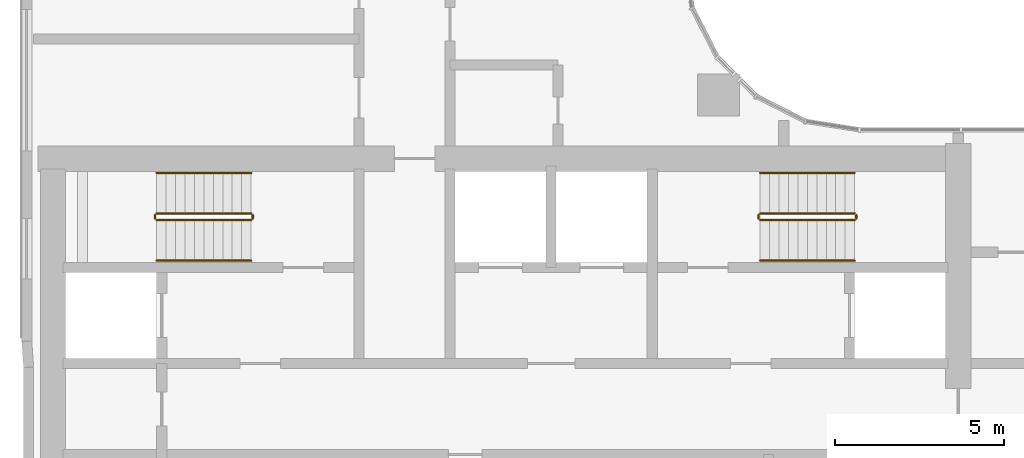
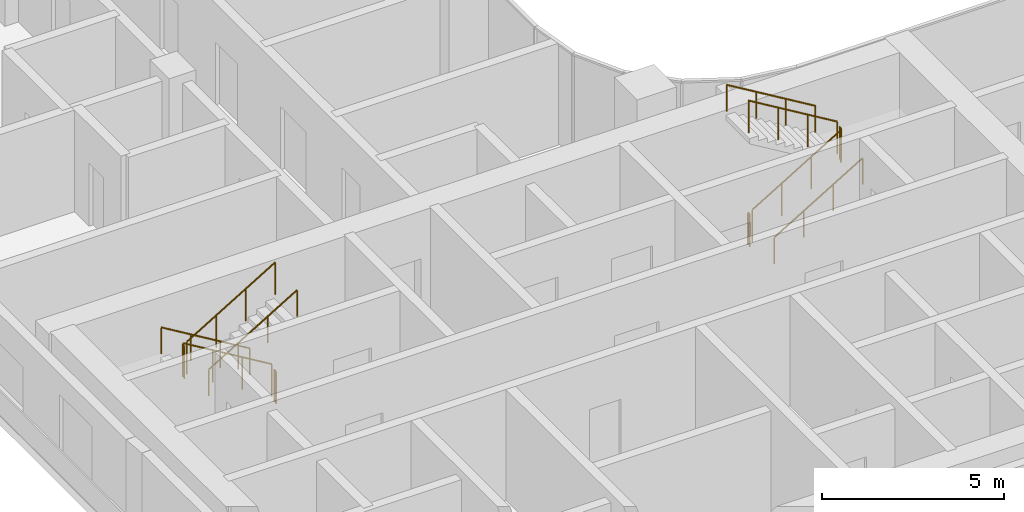
# One storey, part 30 of 35: 12 railings.
"""IFC4 building model written with IfcOpenShell, lengths in metres."""

from ifc_helpers import new_model, si_unit, direction, frame, origin, origin_2d, place, context, subcontext, project, spatial, circle, extrude, material, type_object, element, save


model = new_model("IFC4")

# Units and contexts
model_context = context("Model", 3, precision=1e-05, world=origin(), true_north=direction((0.0, 1.0)))
body_context = subcontext(model_context, "Body", "Model", "MODEL_VIEW")
ifc_project = project(units=[si_unit("LENGTHUNIT", "METRE"), si_unit("AREAUNIT", "SQUARE_METRE"), si_unit("VOLUMEUNIT", "CUBIC_METRE"), si_unit("PLANEANGLEUNIT", "RADIAN"), si_unit("MASSUNIT", "GRAM", prefix="KILO")], contexts=[model_context])

# Site, building, storey
site_placement = place(None, origin())
site = spatial("IfcSite", under=ifc_project, at=site_placement, CompositionType="ELEMENT")
building_placement = place(site_placement, origin())
building = spatial("IfcBuilding", under=site, at=building_placement, Name="Ogive Portal Towers", CompositionType="ELEMENT")
storey_placement = place(building_placement, frame((0.0, 0.0, 90.800048828125)))
storey = spatial("IfcBuildingStorey", under=building, at=storey_placement, Name="L21", CompositionType="ELEMENT", Elevation=90.800048828125)

# Railings
ifc_material_1 = material(Name="Stainless steel balustrade", Category="steel")
railing_type_1 = type_object("IfcRailingType", Name="INT-GUARD", PredefinedType="GUARDRAIL", material=ifc_material_1)
railing_1_placement = place(storey_placement, frame((37.449951171875, 37.800048828125, 0.168212890625)))
element("IfcRailing", 1, at=railing_1_placement, inside=storey, type_object=railing_type_1, Name="L21 ST-A1 stair guard 1", PredefinedType="GUARDRAIL", context=body_context, shape_type="SweptSolid", body=[
    extrude(circle(Radius=0.02392578125, at=origin_2d()), frame((0.0, 0.0, 1.076171875), z_axis=(-0.857275202839, 0.0, 0.514858452973), x_axis=(0.0, -1.0, 0.0)), (0.0, 0.0, 1.0), 3.26611328125),
    extrude(circle(Radius=0.02099609375, at=origin_2d()), origin(), (0.0, 0.0, 1.0), 1.052001953125),
    extrude(circle(Radius=0.02099609375, at=origin_2d()), frame((-0.933349609375, 0.0, 0.560546875)), (0.0, 0.0, 1.0), 1.052001953125),
    extrude(circle(Radius=0.02099609375, at=origin_2d()), frame((-1.86669921875, 0.0, 1.12109375)), (0.0, 0.0, 1.0), 1.052001953125),
    extrude(circle(Radius=0.02099609375, at=origin_2d()), frame((-2.800048828125, 0.0, 1.681640625)), (0.0, 0.0, 1.0), 1.052001953125),
])
railing_2_placement = place(storey_placement, frame((34.60009765625, 37.75, 1.849853515625)))
element("IfcRailing", 2, at=railing_2_placement, inside=storey, type_object=railing_type_1, Name="L21 ST-A1 stair guard 2", PredefinedType="GUARDRAIL", context=body_context, shape_type="SweptSolid", body=[
    extrude(circle(Radius=0.02392578125, at=origin_2d()), frame((0.0, 0.0, 1.076171875), z_axis=(0.0, -1.0, 0.0), x_axis=(1.0, 0.0, 0.0)), (0.0, 0.0, 1.0), 0.10009765625),
    extrude(circle(Radius=0.02099609375, at=origin_2d()), origin(), (0.0, 0.0, 1.0), 1.052001953125),
    extrude(circle(Radius=0.02099609375, at=origin_2d()), frame((0.0, -0.10009765625, 0.0)), (0.0, 0.0, 1.0), 1.052001953125),
])
railing_3_placement = place(storey_placement, frame((34.64990234375, 37.60009765625, 2.01806640625)))
element("IfcRailing", 3, at=railing_3_placement, inside=storey, type_object=railing_type_1, Name="L21 ST-A1 stair guard 3", PredefinedType="GUARDRAIL", context=body_context, shape_type="SweptSolid", body=[
    extrude(circle(Radius=0.02392578125, at=origin_2d()), frame((0.0, 0.0, 1.076171875), z_axis=(0.857242210791, 0.0, 0.514913383045), x_axis=(0.0, 1.0, 0.0)), (0.0, 0.0, 1.0), 3.266357421875),
    extrude(circle(Radius=0.02099609375, at=origin_2d()), origin(), (0.0, 0.0, 1.0), 1.052001953125),
    extrude(circle(Radius=0.02099609375, at=origin_2d()), frame((0.933349609375, 0.0, 0.560546875)), (0.0, 0.0, 1.0), 1.052001953125),
    extrude(circle(Radius=0.02099609375, at=origin_2d()), frame((1.86669921875, 0.0, 1.121337890625)), (0.0, 0.0, 1.0), 1.052001953125),
    extrude(circle(Radius=0.02099609375, at=origin_2d()), frame((2.800048828125, 0.0, 1.681884765625)), (0.0, 0.0, 1.0), 1.052001953125),
])
railing_4_placement = place(storey_placement, frame((37.5, 37.75, 0.0)))
element("IfcRailing", 4, at=railing_4_placement, inside=storey, type_object=railing_type_1, Name="L21 ST-A1 stair guard 4", PredefinedType="GUARDRAIL", context=body_context, shape_type="SweptSolid", body=[
    extrude(circle(Radius=0.02392578125, at=origin_2d()), frame((0.0, 0.0, 1.076171875), z_axis=(0.0, -1.0, 0.0), x_axis=(1.0, 0.0, 0.0)), (0.0, 0.0, 1.0), 0.10009765625),
    extrude(circle(Radius=0.02099609375, at=origin_2d()), origin(), (0.0, 0.0, 1.0), 1.052001953125),
    extrude(circle(Radius=0.02099609375, at=origin_2d()), frame((0.0, -0.10009765625, 0.0)), (0.0, 0.0, 1.0), 1.052001953125),
])
railing_5_placement = place(storey_placement, frame((52.550048828125, 37.60009765625, 0.168212890625)))
element("IfcRailing", 5, at=railing_5_placement, inside=storey, type_object=railing_type_1, Name="L21 ST-A2 stair guard 1", PredefinedType="GUARDRAIL", context=body_context, shape_type="SweptSolid", body=[
    extrude(circle(Radius=0.02392578125, at=origin_2d()), frame((0.0, 0.0, 1.076171875), z_axis=(0.857275202839, 0.0, 0.514858452973), x_axis=(0.0, 1.0, 0.0)), (0.0, 0.0, 1.0), 3.26611328125),
    extrude(circle(Radius=0.02099609375, at=origin_2d()), origin(), (0.0, 0.0, 1.0), 1.052001953125),
    extrude(circle(Radius=0.02099609375, at=origin_2d()), frame((0.933349609375, 0.0, 0.560546875)), (0.0, 0.0, 1.0), 1.052001953125),
    extrude(circle(Radius=0.02099609375, at=origin_2d()), frame((1.86669921875, 0.0, 1.12109375)), (0.0, 0.0, 1.0), 1.052001953125),
    extrude(circle(Radius=0.02099609375, at=origin_2d()), frame((2.800048828125, 0.0, 1.681640625)), (0.0, 0.0, 1.0), 1.052001953125),
])
railing_6_placement = place(storey_placement, frame((55.39990234375, 37.64990234375, 1.849853515625)))
element("IfcRailing", 6, at=railing_6_placement, inside=storey, type_object=railing_type_1, Name="L21 ST-A2 stair guard 2", PredefinedType="GUARDRAIL", context=body_context, shape_type="SweptSolid", body=[
    extrude(circle(Radius=0.02392578125, at=origin_2d()), frame((0.0, 0.0, 1.076171875), z_axis=(0.0, 1.0, 0.0), x_axis=(-1.0, 0.0, 0.0)), (0.0, 0.0, 1.0), 0.10009765625),
    extrude(circle(Radius=0.02099609375, at=origin_2d()), origin(), (0.0, 0.0, 1.0), 1.052001953125),
    extrude(circle(Radius=0.02099609375, at=origin_2d()), frame((0.0, 0.10009765625, 0.0)), (0.0, 0.0, 1.0), 1.052001953125),
])
railing_7_placement = place(storey_placement, frame((55.35009765625, 37.800048828125, 2.01806640625)))
element("IfcRailing", 7, at=railing_7_placement, inside=storey, type_object=railing_type_1, Name="L21 ST-A2 stair guard 3", PredefinedType="GUARDRAIL", context=body_context, shape_type="SweptSolid", body=[
    extrude(circle(Radius=0.02392578125, at=origin_2d()), frame((0.0, 0.0, 1.076171875), z_axis=(-0.857242210791, 0.0, 0.514913383045), x_axis=(0.0, -1.0, 0.0)), (0.0, 0.0, 1.0), 3.266357421875),
    extrude(circle(Radius=0.02099609375, at=origin_2d()), origin(), (0.0, 0.0, 1.0), 1.052001953125),
    extrude(circle(Radius=0.02099609375, at=origin_2d()), frame((-0.933349609375, 0.0, 0.560546875)), (0.0, 0.0, 1.0), 1.052001953125),
    extrude(circle(Radius=0.02099609375, at=origin_2d()), frame((-1.86669921875, 0.0, 1.121337890625)), (0.0, 0.0, 1.0), 1.052001953125),
    extrude(circle(Radius=0.02099609375, at=origin_2d()), frame((-2.800048828125, 0.0, 1.681884765625)), (0.0, 0.0, 1.0), 1.052001953125),
])
railing_8_placement = place(storey_placement, frame((52.5, 37.64990234375, 0.0)))
element("IfcRailing", 8, at=railing_8_placement, inside=storey, type_object=railing_type_1, Name="L21 ST-A2 stair guard 4", PredefinedType="GUARDRAIL", context=body_context, shape_type="SweptSolid", body=[
    extrude(circle(Radius=0.02392578125, at=origin_2d()), frame((0.0, 0.0, 1.076171875), z_axis=(0.0, 1.0, 0.0), x_axis=(-1.0, 0.0, 0.0)), (0.0, 0.0, 1.0), 0.10009765625),
    extrude(circle(Radius=0.02099609375, at=origin_2d()), origin(), (0.0, 0.0, 1.0), 1.052001953125),
    extrude(circle(Radius=0.02099609375, at=origin_2d()), frame((0.0, 0.10009765625, 0.0)), (0.0, 0.0, 1.0), 1.052001953125),
])
ifc_material_2 = material(Name="Stainless steel handrail", Category="steel")
railing_type_2 = type_object("IfcRailingType", Name="INT-HANDRAIL", PredefinedType="HANDRAIL", material=ifc_material_2)
railing_9_placement = place(storey_placement, frame((37.449951171875, 39.0, 0.168212890625)))
element("IfcRailing", 9, at=railing_9_placement, inside=storey, type_object=railing_type_2, Name="L21 ST-A1 stair handrail 1", PredefinedType="HANDRAIL", context=body_context, shape_type="SweptSolid", body=[
    extrude(circle(Radius=0.02392578125, at=origin_2d()), frame((0.0, 0.0, 0.8759765625), z_axis=(-0.857275202839, 0.0, 0.514858452973), x_axis=(0.0, -1.0, 0.0)), (0.0, 0.0, 1.0), 3.26611328125),
    extrude(circle(Radius=0.02099609375, at=origin_2d()), origin(), (0.0, 0.0, 1.0), 0.851806640625),
    extrude(circle(Radius=0.02099609375, at=origin_2d()), frame((-0.933349609375, 0.0, 0.560546875)), (0.0, 0.0, 1.0), 0.851806640625),
    extrude(circle(Radius=0.02099609375, at=origin_2d()), frame((-1.86669921875, 0.0, 1.12109375)), (0.0, 0.0, 1.0), 0.851806640625),
    extrude(circle(Radius=0.02099609375, at=origin_2d()), frame((-2.800048828125, 0.0, 1.681640625)), (0.0, 0.0, 1.0), 0.851806640625),
])
railing_10_placement = place(storey_placement, frame((34.64990234375, 36.39990234375, 2.01806640625)))
element("IfcRailing", 10, at=railing_10_placement, inside=storey, type_object=railing_type_2, Name="L21 ST-A1 stair handrail 2", PredefinedType="HANDRAIL", context=body_context, shape_type="SweptSolid", body=[
    extrude(circle(Radius=0.02392578125, at=origin_2d()), frame((0.0, 0.0, 0.8759765625), z_axis=(0.857242210791, 0.0, 0.514913383045), x_axis=(0.0, 1.0, 0.0)), (0.0, 0.0, 1.0), 3.266357421875),
    extrude(circle(Radius=0.02099609375, at=origin_2d()), origin(), (0.0, 0.0, 1.0), 0.851806640625),
    extrude(circle(Radius=0.02099609375, at=origin_2d()), frame((0.933349609375, 0.0, 0.560546875)), (0.0, 0.0, 1.0), 0.851806640625),
    extrude(circle(Radius=0.02099609375, at=origin_2d()), frame((1.86669921875, 0.0, 1.121337890625)), (0.0, 0.0, 1.0), 0.851806640625),
    extrude(circle(Radius=0.02099609375, at=origin_2d()), frame((2.800048828125, 0.0, 1.681884765625)), (0.0, 0.0, 1.0), 0.851806640625),
])
railing_11_placement = place(storey_placement, frame((52.550048828125, 36.39990234375, 0.168212890625)))
element("IfcRailing", 11, at=railing_11_placement, inside=storey, type_object=railing_type_2, Name="L21 ST-A2 stair handrail 1", PredefinedType="HANDRAIL", context=body_context, shape_type="SweptSolid", body=[
    extrude(circle(Radius=0.02392578125, at=origin_2d()), frame((0.0, 0.0, 0.8759765625), z_axis=(0.857275202839, 0.0, 0.514858452973), x_axis=(0.0, 1.0, 0.0)), (0.0, 0.0, 1.0), 3.26611328125),
    extrude(circle(Radius=0.02099609375, at=origin_2d()), origin(), (0.0, 0.0, 1.0), 0.851806640625),
    extrude(circle(Radius=0.02099609375, at=origin_2d()), frame((0.933349609375, 0.0, 0.560546875)), (0.0, 0.0, 1.0), 0.851806640625),
    extrude(circle(Radius=0.02099609375, at=origin_2d()), frame((1.86669921875, 0.0, 1.12109375)), (0.0, 0.0, 1.0), 0.851806640625),
    extrude(circle(Radius=0.02099609375, at=origin_2d()), frame((2.800048828125, 0.0, 1.681640625)), (0.0, 0.0, 1.0), 0.851806640625),
])
railing_12_placement = place(storey_placement, frame((55.35009765625, 39.0, 2.01806640625)))
element("IfcRailing", 12, at=railing_12_placement, inside=storey, type_object=railing_type_2, Name="L21 ST-A2 stair handrail 2", PredefinedType="HANDRAIL", context=body_context, shape_type="SweptSolid", body=[
    extrude(circle(Radius=0.02392578125, at=origin_2d()), frame((0.0, 0.0, 0.8759765625), z_axis=(-0.857242210791, 0.0, 0.514913383045), x_axis=(0.0, -1.0, 0.0)), (0.0, 0.0, 1.0), 3.266357421875),
    extrude(circle(Radius=0.02099609375, at=origin_2d()), origin(), (0.0, 0.0, 1.0), 0.851806640625),
    extrude(circle(Radius=0.02099609375, at=origin_2d()), frame((-0.933349609375, 0.0, 0.560546875)), (0.0, 0.0, 1.0), 0.851806640625),
    extrude(circle(Radius=0.02099609375, at=origin_2d()), frame((-1.86669921875, 0.0, 1.121337890625)), (0.0, 0.0, 1.0), 0.851806640625),
    extrude(circle(Radius=0.02099609375, at=origin_2d()), frame((-2.800048828125, 0.0, 1.681884765625)), (0.0, 0.0, 1.0), 0.851806640625),
])

save(model, "model.ifc")
